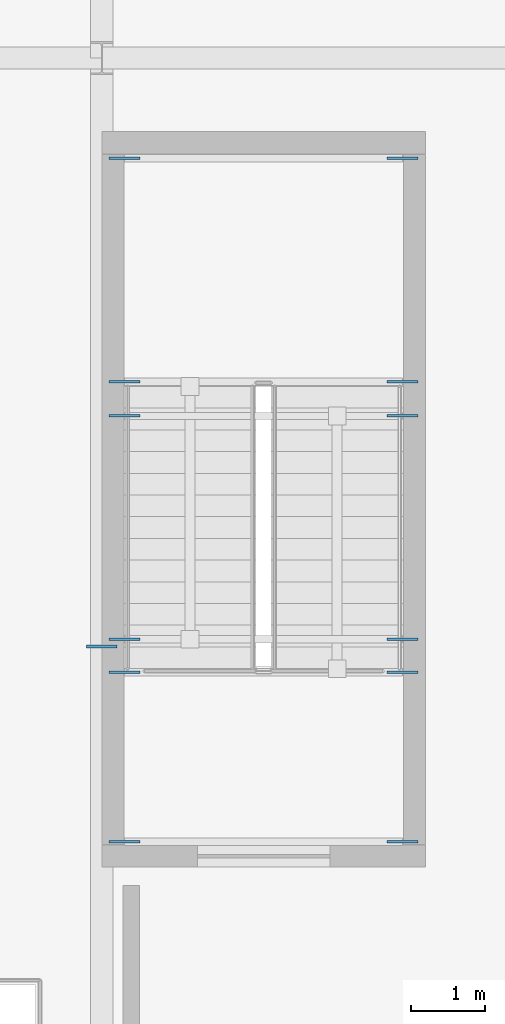
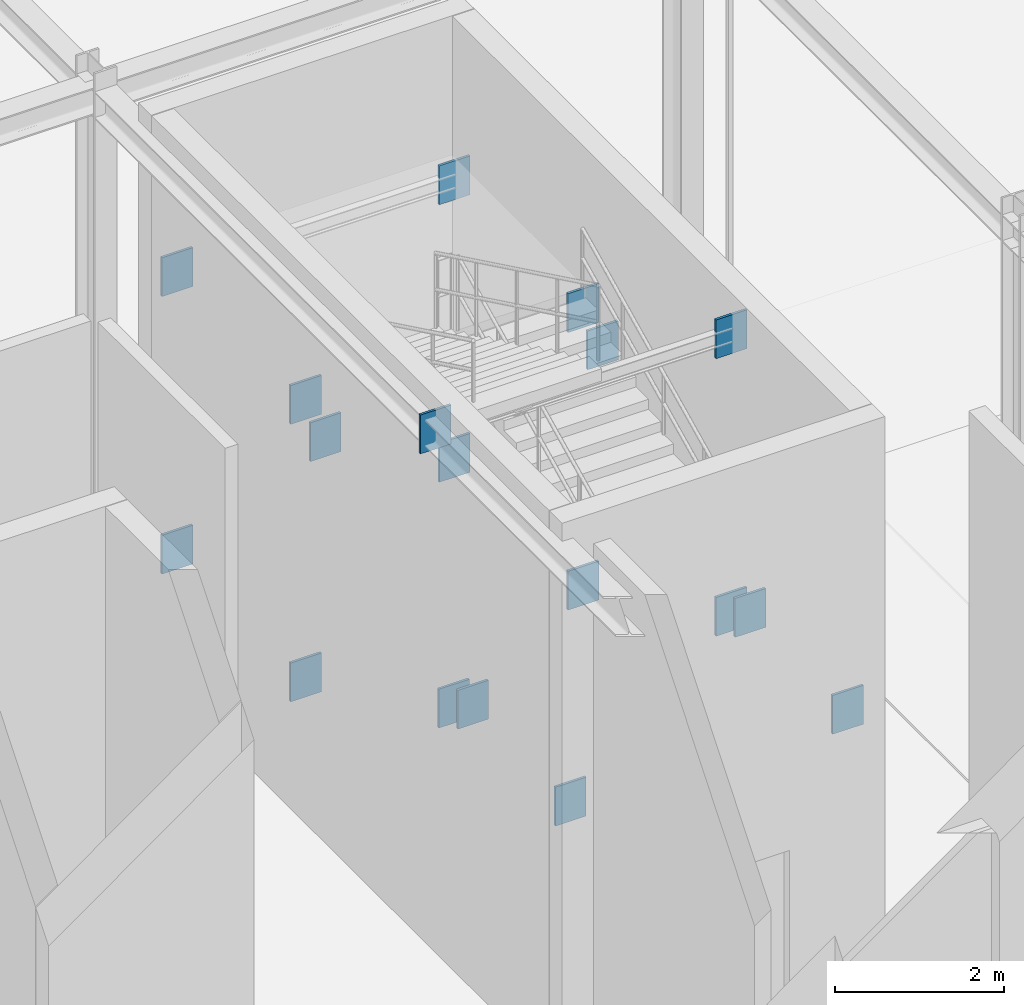
# One storey, part 83 of 138: 18 plates.
"""IFC4 building model written with IfcOpenShell, lengths in metres."""

from ifc_helpers import new_model, si_unit, direction, frame, origin, origin_2d, place, context, subcontext, project, spatial, rectangle, extrude, material, layer, layer_set, type_object, element, save


model = new_model("IFC4")

# Units and contexts
model_context = context("Model", 3, precision=1e-05, world=origin(), true_north=direction((0.0, 1.0)))
body_context = subcontext(model_context, "Body", "Model", "MODEL_VIEW")
ifc_project = project(units=[si_unit("LENGTHUNIT", "METRE"), si_unit("AREAUNIT", "SQUARE_METRE"), si_unit("VOLUMEUNIT", "CUBIC_METRE"), si_unit("PLANEANGLEUNIT", "RADIAN"), si_unit("MASSUNIT", "GRAM", prefix="KILO")], contexts=[model_context])

# Site, building, storey
site_placement = place(None, origin())
site = spatial("IfcSite", under=ifc_project, at=site_placement, CompositionType="ELEMENT")
building_placement = place(site_placement, origin())
building = spatial("IfcBuilding", under=site, at=building_placement, Name="Sundkrona Museum", CompositionType="ELEMENT")
storey_placement = place(building_placement, frame((0.0, 0.0, 9.60009765625)))
storey = spatial("IfcBuildingStorey", under=building, at=storey_placement, Name="L02", CompositionType="ELEMENT", Elevation=9.60009765625)

# Plates
ifc_material = material(Name="Steel S355J2", Category="steel")
ifc_layer = layer(ifc_material, 0.034912109375)
ifc_layer_set = layer_set([ifc_layer], Name="Steel S355J2")
plate_type = type_object("IfcPlateType", Name="EP-1", PredefinedType="USERDEFINED", material=ifc_layer_set)
for number, where, z_axis, x_axis, name in (
    (1, (120.0, 8.0, 7.264892578125), (0.0, 0.0, 1.0), (1.0, 0.0, 0.0), "Core Wall Cast-In Embed Plate BM-L02-Y-1332-2"),
    (2, (120.31005859375, 11.598388671875, 1.39990234375), (0.0, 0.0, 1.0), (1.0, 0.0, 0.0), "Core Wall Cast-In Embed Plate BM-STLD-ST-2-L02-1A-1"),
    (3, (124.090087890625, 11.598388671875, 1.39990234375), (0.0, 0.0, 1.0), (1.0, 0.0, 0.0), "Core Wall Cast-In Embed Plate BM-STLD-ST-2-L02-1A-2"),
    (4, (120.31005859375, 14.63671875, 1.39990234375), (0.0, 0.0, 1.0), (1.0, 0.0, 0.0), "Core Wall Cast-In Embed Plate BM-STLD-ST-2-L02-1B-1"),
    (5, (124.090087890625, 14.63671875, 1.39990234375), (0.0, 0.0, 1.0), (1.0, 0.0, 0.0), "Core Wall Cast-In Embed Plate BM-STLD-ST-2-L02-1B-2"),
    (6, (120.31005859375, 5.347900390625, 3.39990234375), (0.0, 0.0, 1.0), (1.0, 0.0, 0.0), "Core Wall Cast-In Embed Plate BM-STLD-ST-2-L02-2A-1"),
    (7, (124.090087890625, 5.347900390625, 3.39990234375), (0.0, 0.0, 1.0), (1.0, 0.0, 0.0), "Core Wall Cast-In Embed Plate BM-STLD-ST-2-L02-2A-2"),
    (8, (120.31005859375, 7.652099609375, 3.39990234375), (0.0, 0.0, 1.0), (1.0, 0.0, 0.0), "Core Wall Cast-In Embed Plate BM-STLD-ST-2-L02-2B-1"),
    (9, (124.090087890625, 7.652099609375, 3.39990234375), (0.0, 0.0, 1.0), (1.0, 0.0, 0.0), "Core Wall Cast-In Embed Plate BM-STLD-ST-2-L02-2B-2"),
    (10, (120.31005859375, 11.598388671875, 5.39990234375), (0.0, 0.0, 1.0), (1.0, 0.0, 0.0), "Core Wall Cast-In Embed Plate BM-STLD-ST-2-L02-3A-1"),
    (11, (124.090087890625, 11.598388671875, 5.39990234375), (0.0, 0.0, 1.0), (1.0, 0.0, 0.0), "Core Wall Cast-In Embed Plate BM-STLD-ST-2-L02-3A-2"),
    (12, (120.31005859375, 14.63671875, 5.39990234375), (0.0, 0.0, 1.0), (1.0, 0.0, 0.0), "Core Wall Cast-In Embed Plate BM-STLD-ST-2-L02-3B-1"),
    (13, (124.090087890625, 14.63671875, 5.39990234375), (0.0, 0.0, 1.0), (1.0, 0.0, 0.0), "Core Wall Cast-In Embed Plate BM-STLD-ST-2-L02-3B-2"),
    (14, (120.31005859375, 8.10009765625, 3.143798828125), (0.0, 0.0, 1.0), (1.0, 0.0, 0.0), "Core Wall Cast-In Embed Plate BM-STHD-ST-2-L02-2-1"),
    (15, (124.090087890625, 8.10009765625, 3.143798828125), (0.0, 0.0, 1.0), (1.0, 0.0, 0.0), "Core Wall Cast-In Embed Plate BM-STHD-ST-2-L02-2-2"),
    (16, (120.31005859375, 11.135009765625, 5.143798828125), (0.0, 0.0, 1.0), (1.0, 0.0, 0.0), "Core Wall Cast-In Embed Plate BM-STHD-ST-2-L02-3-1"),
    (17, (124.090087890625, 11.135009765625, 5.143798828125), (0.0, 0.0, 1.0), (1.0, 0.0, 0.0), "Core Wall Cast-In Embed Plate BM-STHD-ST-2-L02-3-2"),
    (18, (124.090087890625, 8.10009765625, 7.143798828125), (0.0, 0.0, 1.0), (1.0, 0.0, 0.0), "Core Wall Cast-In Embed Plate BM-STHD-ST-2-L02-4-2"),
):
    element("IfcPlate", number, at=place(storey_placement, frame(where, z_axis=z_axis, x_axis=x_axis)), inside=storey, type_object=plate_type, Name=name, ObjectType="GUSSET PLATE", PredefinedType="USERDEFINED", context=body_context, shape_type="SweptSolid", body=[
        extrude(rectangle(XDim=0.419921875, YDim=0.034912109375, at=origin_2d()), origin(), (0.0, 0.0, 1.0), 0.56005859375),
    ])

save(model, "model.ifc")
